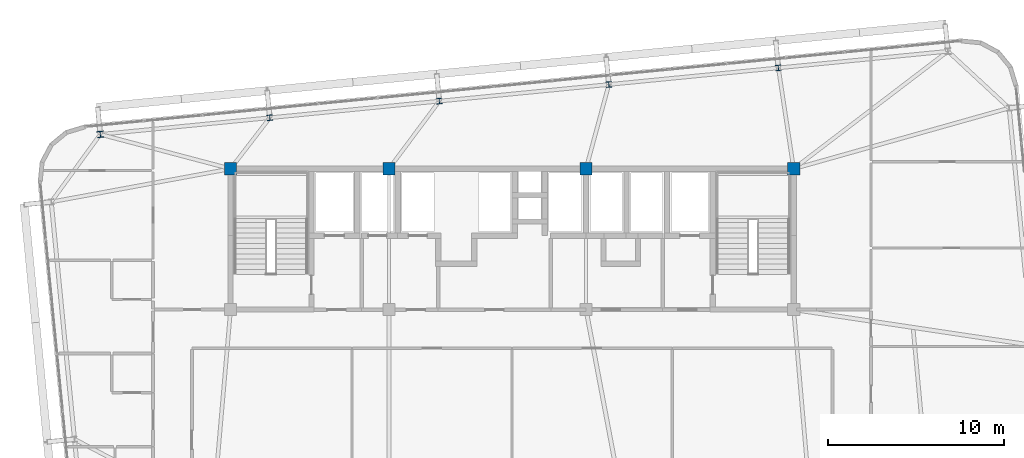
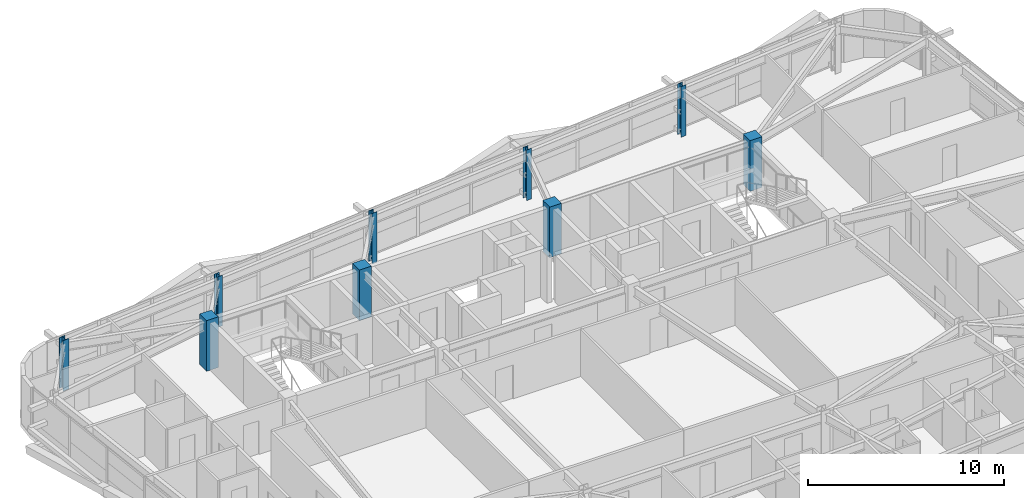
# One storey, part 3 of 53: 9 columns.
"""IFC4 building model written with IfcOpenShell, lengths in metres."""

from ifc_helpers import new_model, si_unit, direction, frame, origin, origin_2d, place, context, subcontext, project, spatial, rectangle, i_section, extrude, source, transform, mapped, material, material_profile, profile_set, type_object, element, save


model = new_model("IFC4")

# Units and contexts
model_context = context("Model", 3, precision=1e-05, world=origin(), true_north=direction((0.0, 1.0)))
body_context = subcontext(model_context, "Body", "Model", "MODEL_VIEW")
ifc_project = project(units=[si_unit("LENGTHUNIT", "METRE"), si_unit("AREAUNIT", "SQUARE_METRE"), si_unit("VOLUMEUNIT", "CUBIC_METRE"), si_unit("PLANEANGLEUNIT", "RADIAN"), si_unit("MASSUNIT", "GRAM", prefix="KILO")], contexts=[model_context])

# Site, building, storey
site_placement = place(None, origin())
site = spatial("IfcSite", under=ifc_project, at=site_placement, CompositionType="ELEMENT")
building_placement = place(site_placement, origin())
building = spatial("IfcBuilding", under=site, at=building_placement, Name="Taldren Reach Tower", CompositionType="ELEMENT")
storey_placement = place(building_placement, frame((0.0, 0.0, 68.25)))
storey = spatial("IfcBuildingStorey", under=building, at=storey_placement, Name="L20", CompositionType="ELEMENT", Elevation=68.25)

# Columns
ifc_material_1 = material(Name="Concrete S65 (65 MPa)", Category="concrete")
ifc_material_profile_1 = material_profile(ifc_material_1, rectangle(XDim=0.699951171875, YDim=0.699951171875, at=origin_2d()), Name="RC-700x700")
ifc_profile_set_1 = profile_set([ifc_material_profile_1], Name="Concrete S65 (65 MPa)")
column_type_1 = type_object("IfcColumnType", Name="COL-RC700", PredefinedType="COLUMN", material=ifc_profile_set_1)
shared_shape_1 = source(origin(), body_context, "Body", "SweptSolid", [
    extrude(rectangle(XDim=0.699951171875, YDim=0.699951171875, at=origin_2d()), origin(), (0.0, 0.0, 1.0), 3.14990234375),
])
for number, where, z_axis, x_axis, name in (
    (1, (19.0, 32.0, 0.0), (0.0, 0.0, 1.0), (1.0, 0.0, 0.0), "Mega column MC-C5 L20"),
    (2, (28.0, 32.0, 0.0), (0.0, 0.0, 1.0), (1.0, 0.0, 0.0), "Mega column MC-C6 L20"),
    (3, (39.199951171875, 32.0, 0.0), (0.0, 0.0, 1.0), (1.0, 0.0, 0.0), "Mega column MC-C7 L20"),
    (4, (51.0, 32.0, 0.0), (0.0, 0.0, 1.0), (1.0, 0.0, 0.0), "Mega column MC-C8 L20"),
):
    element("IfcColumn", number, at=place(storey_placement, frame(where, z_axis=z_axis, x_axis=x_axis)), inside=storey, type_object=column_type_1, Name=name, PredefinedType="COLUMN", context=body_context, shape_type="MappedRepresentation", body=[
        mapped(shared_shape_1, transform((0.0, 0.0, 0.0), scale=1.0)),
    ])
ifc_material_2 = material(Name="Steel Gr 350 (350PLUS)", Category="steel")
ifc_material_profile_2 = material_profile(ifc_material_2, i_section(OverallWidth=0.35009765625, OverallDepth=0.35595703125, WebThickness=0.01806640625, FlangeThickness=0.028076171875, at=origin_2d()), Name="350WC197")
ifc_profile_set_2 = profile_set([ifc_material_profile_2], Name="Steel Gr 350 (350PLUS)")
column_type_2 = type_object("IfcColumnType", Name="COL-WC350", PredefinedType="COLUMN", material=ifc_profile_set_2)
shared_shape_2 = source(origin(), body_context, "Body", "SweptSolid", [
    extrude(i_section(OverallWidth=0.35009765625, OverallDepth=0.35595703125, WebThickness=0.01806640625, FlangeThickness=0.028076171875, at=origin_2d()), origin(), (0.0, 0.0, 1.0), 3.14990234375),
])
column_placement = place(storey_placement, frame((11.596923828125, 33.956787109375, 0.0), z_axis=(0.0, 0.0, 1.0), x_axis=(0.995227399982, 0.097582899759, 0.0)))
element("IfcColumn", 5, at=column_placement, inside=storey, type_object=column_type_2, Name="Block B2 perimeter column N1 L20", PredefinedType="COLUMN", context=body_context, shape_type="MappedRepresentation", body=[
    mapped(shared_shape_2, transform((0.0, 0.0, 0.0), scale=1.0)),
])
ifc_material_profile_3 = material_profile(ifc_material_2, i_section(OverallWidth=0.306884765625, OverallDepth=0.31494140625, WebThickness=0.011962890625, FlangeThickness=0.018798828125, at=origin_2d()), Name="310UC118")
ifc_profile_set_3 = profile_set([ifc_material_profile_3], Name="Steel Gr 350 (350PLUS)")
column_type_3 = type_object("IfcColumnType", Name="COL-UC310B", PredefinedType="COLUMN", material=ifc_profile_set_3)
shared_shape_3 = source(origin(), body_context, "Body", "SweptSolid", [
    extrude(i_section(OverallWidth=0.306884765625, OverallDepth=0.31494140625, WebThickness=0.011962890625, FlangeThickness=0.018798828125, at=origin_2d()), origin(), (0.0, 0.0, 1.0), 3.14990234375),
])
for number, where, z_axis, x_axis, name in (
    (6, (21.230712890625, 34.9013671875, 0.0), (0.0, 0.0, 1.0), (0.995227399982, 0.097582899759, 0.0), "Block B2 perimeter column N2 L20"),
    (7, (30.864501953125, 35.84619140625, 0.0), (0.0, 0.0, 1.0), (0.995227399982, 0.097582899759, 0.0), "Block B2 perimeter column N3 L20"),
    (8, (40.498291015625, 36.790771484375, 0.0), (0.0, 0.0, 1.0), (0.995227399982, 0.097582899759, 0.0), "Block B2 perimeter column N4 L20"),
    (9, (50.132080078125, 37.7353515625, 0.0), (0.0, 0.0, 1.0), (0.995227399982, 0.097582899759, 0.0), "Block B2 perimeter column N5 L20"),
):
    element("IfcColumn", number, at=place(storey_placement, frame(where, z_axis=z_axis, x_axis=x_axis)), inside=storey, type_object=column_type_3, Name=name, PredefinedType="COLUMN", context=body_context, shape_type="MappedRepresentation", body=[
        mapped(shared_shape_3, transform((0.0, 0.0, 0.0), scale=1.0)),
    ])

save(model, "model.ifc")
